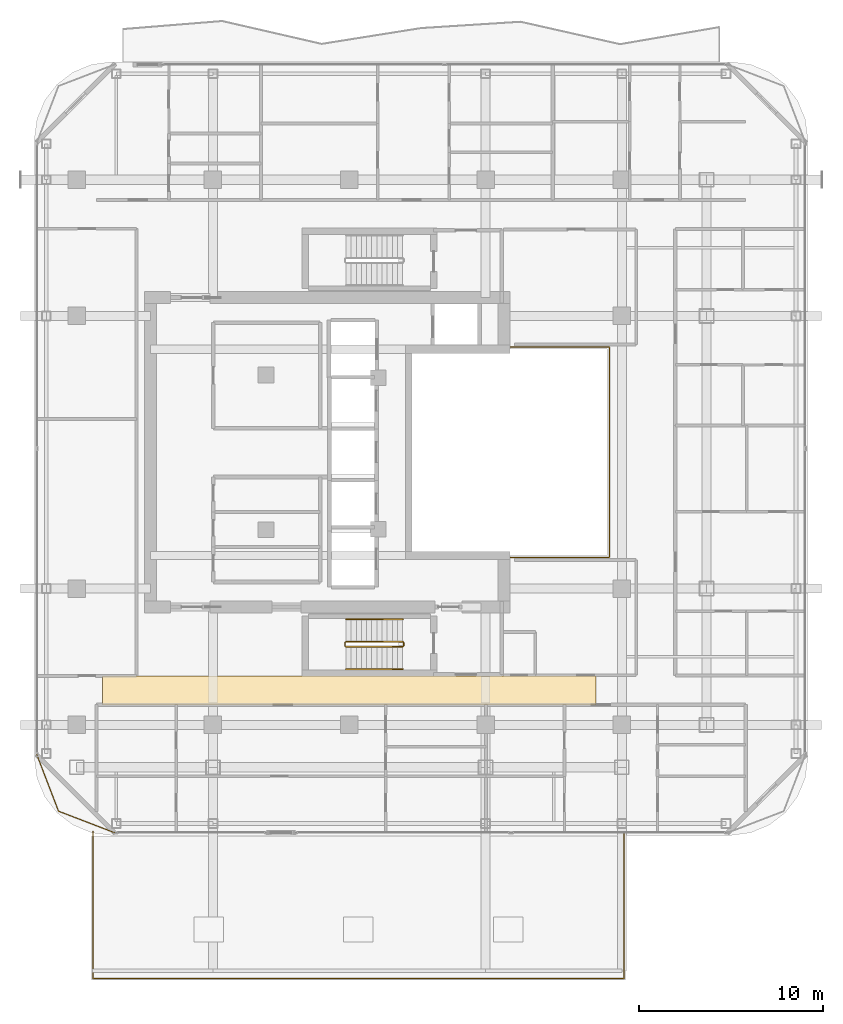
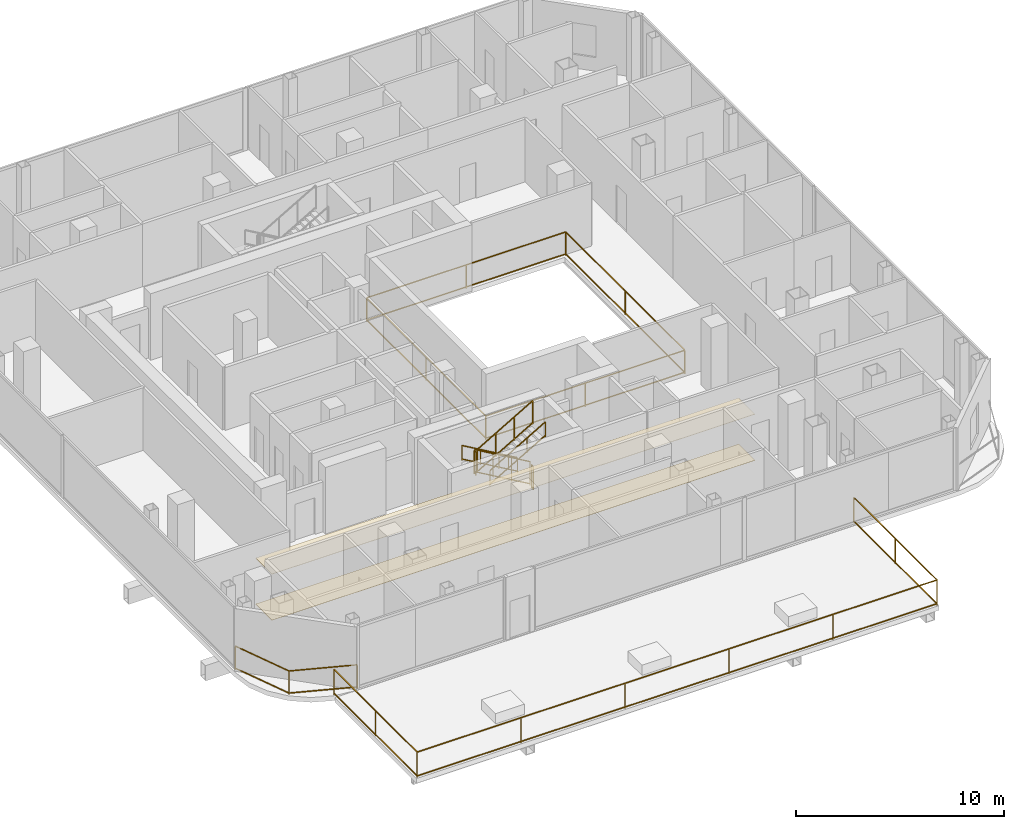
# One storey, part 23 of 25: 9 railings, 2 coverings.
"""IFC4 building model written with IfcOpenShell, lengths in metres."""

import ifcopenshell
import ifcopenshell.guid

model = None  # the IFC model being written
_history = None  # IfcOwnerHistory: only IFC2X3 demands one
_inside = {}  # id of a spatial element -> (the spatial element, [elements in it])
_under = {}  # id of a project, library or spatial element -> (it, [spatial elements below it])
_declared = {}  # id of a project -> (the project, [libraries it declares])
_typed = {}  # id of a type object -> (the type object, [elements of that type])
_made_of = {}  # id of a material, layer set ... -> (it, [elements and type objects made of it])


def new_model(schema):
    """Start an empty IFC model of exactly this schema.

    Asked for "IFC4X3", IfcOpenShell would pick the latest addendum, in which some entities
    have other attributes; the version numbers below select the first issue.
    IFC2X3 requires an IfcOwnerHistory on every rooted entity: one is made here for all.
    """
    global model, _history
    if schema == "IFC4X3":
        model = ifcopenshell.file(schema_version=(4, 3, 0, 0))
    else:
        model = ifcopenshell.file(schema=schema)
    _inside.clear()
    _under.clear()
    _declared.clear()
    _typed.clear()
    _made_of.clear()
    _history = None
    if model.schema == "IFC2X3":
        org = make("IfcOrganization", Name="unknown")
        user = make(
            "IfcPersonAndOrganization",
            ThePerson=make("IfcPerson", FamilyName="unknown"),
            TheOrganization=org,
        )
        app = make(
            "IfcApplication",
            ApplicationDeveloper=org,
            Version="unknown",
            ApplicationFullName="unknown",
            ApplicationIdentifier="unknown",
        )
        _history = make(
            "IfcOwnerHistory",
            OwningUser=user,
            OwningApplication=app,
            ChangeAction="ADDED",
            CreationDate=0,
        )
    return model


def make(cls, **values):
    """One entity of the class cls with the attributes given. An attribute that is None is left unset."""
    return model.create_entity(
        cls, **{name: value for name, value in values.items() if value is not None}
    )


def rooted(cls, **values):
    """An entity with a GlobalId (a new one), such as an element, a storey or a relation."""
    return make(cls, GlobalId=ifcopenshell.guid.new(), OwnerHistory=_history, **values)


def si_unit(unit_type, name, prefix=None):
    """IfcSIUnit, for example si_unit("LENGTHUNIT", "METRE", prefix="MILLI")."""
    return make("IfcSIUnit", UnitType=unit_type, Prefix=prefix, Name=name)


def assignment(units):
    """IfcUnitAssignment: the units of a project."""
    return None if units is None else make("IfcUnitAssignment", Units=units)


def point(xyz):
    """IfcCartesianPoint."""
    return None if xyz is None else make("IfcCartesianPoint", Coordinates=xyz)


def direction(xyz):
    """IfcDirection."""
    return None if xyz is None else make("IfcDirection", DirectionRatios=xyz)


def frame(location, z_axis=None, x_axis=None):
    """IfcAxis2Placement3D, a coordinate frame: its origin and axes. An axis left out is left unset."""
    return make(
        "IfcAxis2Placement3D",
        Location=point(location),
        Axis=direction(z_axis),
        RefDirection=direction(x_axis),
    )


def frame_2d(location, x_axis=None):
    """IfcAxis2Placement2D, a coordinate frame in the plane: its origin and x axis."""
    return make(
        "IfcAxis2Placement2D", Location=point(location), RefDirection=direction(x_axis)
    )


def origin():
    """The frame at (0, 0, 0) with its axes left unset."""
    return frame((0.0, 0.0, 0.0))


def origin_2d():
    """The frame at (0, 0) in the plane with its x axis left unset."""
    return frame_2d((0.0, 0.0))


def place(relative_to, where):
    """IfcLocalPlacement: puts the frame where relative to a parent placement (None: the world)."""
    return make(
        "IfcLocalPlacement", PlacementRelTo=relative_to, RelativePlacement=where
    )


def context(
    kind, dimensions, precision=None, world=None, true_north=None, identifier=None
):
    """IfcGeometricRepresentationContext, for example the 3D "Model" context."""
    return make(
        "IfcGeometricRepresentationContext",
        ContextIdentifier=identifier,
        ContextType=kind,
        CoordinateSpaceDimension=dimensions,
        Precision=precision,
        WorldCoordinateSystem=world,
        TrueNorth=true_north,
    )


def subcontext(parent, identifier, kind, view, scale=None):
    """IfcGeometricRepresentationSubContext, for example "Body" below "Model"."""
    return make(
        "IfcGeometricRepresentationSubContext",
        ContextIdentifier=identifier,
        ContextType=kind,
        ParentContext=parent,
        TargetScale=scale,
        TargetView=view,
    )


def project(units=None, contexts=None):
    """IfcProject with its units and contexts."""
    return rooted(
        "IfcProject",
        Name="project",
        RepresentationContexts=contexts,
        UnitsInContext=assignment(units),
    )


def spatial(cls, under=None, at=None, **own):
    """A site, building, storey or space (cls), placed at a placement, below another one or the project."""
    s = rooted(cls, ObjectPlacement=at, **own)
    if under is not None:
        _under.setdefault(under.id(), (under, []))[1].append(s)
    return s


def polyline(points):
    """IfcPolyline through the points."""
    return make("IfcPolyline", Points=[point(p) for p in points])


def profile(cls, at=None, kind="AREA", **sizes):
    """A parametric profile (cls). Its sizes go by their IFC names, for example OverallWidth=200.0."""
    return make(cls, ProfileType=kind, Position=at, **sizes)


def rectangle(**sizes):
    """IfcRectangleProfileDef."""
    return profile("IfcRectangleProfileDef", **sizes)


def outline(outer, holes=None, kind="AREA"):
    """IfcArbitraryClosedProfileDef: a profile drawn as a closed curve; with holes, ...WithVoids."""
    if holes is None:
        return make("IfcArbitraryClosedProfileDef", ProfileType=kind, OuterCurve=outer)
    return make(
        "IfcArbitraryProfileDefWithVoids",
        ProfileType=kind,
        OuterCurve=outer,
        InnerCurves=holes,
    )


def extrude(swept, where, along, depth):
    """IfcExtrudedAreaSolid: the profile swept, set in the frame where, extruded along a direction by depth."""
    return make(
        "IfcExtrudedAreaSolid",
        SweptArea=swept,
        Position=where,
        ExtrudedDirection=direction(along),
        Depth=depth,
    )


def shape(context_of_items, identifier, shape_type, items):
    """IfcShapeRepresentation: the items that make up one representation, for example the "Body"."""
    return make(
        "IfcShapeRepresentation",
        ContextOfItems=context_of_items,
        RepresentationIdentifier=identifier,
        RepresentationType=shape_type,
        Items=items,
    )


def material(Name=None, Category=None):
    """IfcMaterial."""
    return make("IfcMaterial", Name=Name, Category=Category)


def layer(
    of_material, thickness, ventilated=None, Name=None, Category=None, Priority=None
):
    """IfcMaterialLayer: one layer of a wall or slab, of a material (None: an air gap)."""
    return make(
        "IfcMaterialLayer",
        Material=of_material,
        LayerThickness=thickness,
        IsVentilated=ventilated,
        Name=Name,
        Category=Category,
        Priority=Priority,
    )


def layer_set(layers, Name=None):
    """IfcMaterialLayerSet."""
    return make("IfcMaterialLayerSet", MaterialLayers=layers, LayerSetName=Name)


def made_of(thing, what):
    """Note that an element or type object is made of a material, layer set ...; save() writes the relation."""
    if what is not None:
        _made_of.setdefault(what.id(), (what, []))[1].append(thing)
    return thing


def type_object(cls, material=None, **own):
    """A type object (cls), such as IfcWallType, which elements share."""
    return made_of(rooted(cls, **own), material)


def element(
    cls,
    number,
    at=None,
    inside=None,
    cuts=None,
    type_object=None,
    material=None,
    context=None,
    identifier="Body",
    shape_type=None,
    held_by="IfcProductDefinitionShape",
    body=None,
    shapes=None,
    **own,
):
    """One element of the class cls, such as IfcWall. Its Tag is "e" and its number.

    at: its placement. inside: the storey or other place that contains it. cuts: it is an
    opening in that element (IfcRelVoidsElement). A single representation is given by context,
    identifier, shape_type and body (its items); several are given by shapes. held_by: the class
    of the entity that holds the representations. save() writes the other relations.
    """
    e = rooted(cls, Tag="e%d" % number, ObjectPlacement=at, **own)
    if body is not None:
        shapes = [shape(context, identifier, shape_type, body)]
    if shapes is not None:
        e.Representation = make(held_by, Representations=shapes)
    if inside is not None:
        _inside.setdefault(inside.id(), (inside, []))[1].append(e)
    if cuts is not None:
        rooted(
            "IfcRelVoidsElement", RelatingBuildingElement=cuts, RelatedOpeningElement=e
        )
    if type_object is not None:
        _typed.setdefault(type_object.id(), (type_object, []))[1].append(e)
    return made_of(e, material)


def aggregate(whole, parts):
    """IfcRelAggregates: a whole, such as a stair, and the parts it consists of."""
    return rooted("IfcRelAggregates", RelatingObject=whole, RelatedObjects=parts)


def save(model, path):
    """Write the relations noted so far, then the file.

    IfcRelAggregates (storeys below a building ...), IfcRelContainedInSpatialStructure (elements
    in a storey), IfcRelDefinesByType, IfcRelAssociatesMaterial and IfcRelDeclares: one each for
    every whole, place, type object, material and project.
    """
    for whole, parts in _under.values():
        aggregate(whole, parts)
    for where, things in _inside.values():
        rooted(
            "IfcRelContainedInSpatialStructure",
            RelatedElements=things,
            RelatingStructure=where,
        )
    for kind, things in _typed.values():
        rooted("IfcRelDefinesByType", RelatedObjects=things, RelatingType=kind)
    for what, things in _made_of.values():
        rooted("IfcRelAssociatesMaterial", RelatedObjects=things, RelatingMaterial=what)
    for by, libraries in _declared.values():
        rooted("IfcRelDeclares", RelatingContext=by, RelatedDefinitions=libraries)
    model.write(path)


model = new_model("IFC4")

# Units and contexts
model_context = context("Model", 3, precision=1e-05, world=origin(), true_north=direction((0.0, 1.0)))
body_context = subcontext(model_context, "Body", "Model", "MODEL_VIEW")
ifc_project = project(units=[si_unit("LENGTHUNIT", "METRE"), si_unit("AREAUNIT", "SQUARE_METRE"), si_unit("VOLUMEUNIT", "CUBIC_METRE"), si_unit("PLANEANGLEUNIT", "RADIAN"), si_unit("MASSUNIT", "GRAM", prefix="KILO")], contexts=[model_context])

# Site, building, storey
site_placement = place(None, origin())
site = spatial("IfcSite", under=ifc_project, at=site_placement, CompositionType="ELEMENT")
building_placement = place(site_placement, origin())
building = spatial("IfcBuilding", under=site, at=building_placement, Name="Khorvyn Point Tower", CompositionType="ELEMENT")
storey_placement = place(building_placement, frame((0.0, 0.0, 254.699951171875)))
storey = spatial("IfcBuildingStorey", under=building, at=storey_placement, Name="L62", CompositionType="ELEMENT", Elevation=254.699951171875)

# Railings
ifc_material_1 = material(Name="Stainless steel 1.4401 and laminated glass", Category="steel")
railing_type_1 = type_object("IfcRailingType", Name="Crystal Atrium Smoke-Rated Perimeter Guardrail 1400", PredefinedType="GUARDRAIL", material=ifc_material_1)
railing_1_placement = place(storey_placement, frame((3.080078125, -5.719970703125, 0.0)))
element("IfcRailing", 1, at=railing_1_placement, inside=storey, type_object=railing_type_1, Name="L62 Crystal Atrium Perimeter Guardrail", PredefinedType="GUARDRAIL", context=body_context, shape_type="SweptSolid", body=[
    extrude(rectangle(XDim=0.048095703125, YDim=0.048095703125, at=origin_2d()), frame((0.0, 0.0, 1.3759765625), z_axis=(1.0, 0.0, 0.0), x_axis=(0.0, 1.0, 0.0)), (0.0, 0.0, 1.0), 11.0400390625),
    extrude(rectangle(XDim=0.048095703125, YDim=0.048095703125, at=origin_2d()), frame((0.0, 0.0, 0.080078125), z_axis=(1.0, 0.0, 0.0), x_axis=(0.0, 1.0, 0.0)), (0.0, 0.0, 1.0), 11.0400390625),
    extrude(rectangle(XDim=0.048095703125, YDim=0.048095703125, at=origin_2d()), frame((11.0400390625, 0.0, 1.3759765625), z_axis=(0.0, 1.0, 0.0), x_axis=(-1.0, 0.0, 0.0)), (0.0, 0.0, 1.0), 11.43994140625),
    extrude(rectangle(XDim=0.048095703125, YDim=0.048095703125, at=origin_2d()), frame((11.0400390625, 0.0, 0.080078125), z_axis=(0.0, 1.0, 0.0), x_axis=(-1.0, 0.0, 0.0)), (0.0, 0.0, 1.0), 11.43994140625),
    extrude(rectangle(XDim=0.048095703125, YDim=0.048095703125, at=origin_2d()), frame((11.0400390625, 11.43994140625, 1.3759765625), z_axis=(-1.0, 0.0, 0.0), x_axis=(0.0, -1.0, 0.0)), (0.0, 0.0, 1.0), 11.0400390625),
    extrude(rectangle(XDim=0.048095703125, YDim=0.048095703125, at=origin_2d()), frame((11.0400390625, 11.43994140625, 0.080078125), z_axis=(-1.0, 0.0, 0.0), x_axis=(0.0, -1.0, 0.0)), (0.0, 0.0, 1.0), 11.0400390625),
    extrude(rectangle(XDim=0.048095703125, YDim=0.048095703125, at=origin_2d()), frame((0.0, 11.43994140625, 1.3759765625), z_axis=(0.0, -1.0, 0.0), x_axis=(1.0, 0.0, 0.0)), (0.0, 0.0, 1.0), 11.409912109375),
    extrude(rectangle(XDim=0.048095703125, YDim=0.048095703125, at=origin_2d()), frame((0.0, 11.43994140625, 0.080078125), z_axis=(0.0, -1.0, 0.0), x_axis=(1.0, 0.0, 0.0)), (0.0, 0.0, 1.0), 11.409912109375),
    extrude(rectangle(XDim=0.0419921875, YDim=0.0419921875, at=origin_2d()), origin(), (0.0, 0.0, 1.0), 1.351806640625),
    extrude(rectangle(XDim=0.0419921875, YDim=0.0419921875, at=origin_2d()), frame((5.52001953125, 0.0, 0.0)), (0.0, 0.0, 1.0), 1.351806640625),
    extrude(rectangle(XDim=0.0419921875, YDim=0.0419921875, at=origin_2d()), frame((11.0400390625, 0.0, 0.0)), (0.0, 0.0, 1.0), 1.351806640625),
    extrude(rectangle(XDim=0.0419921875, YDim=0.0419921875, at=origin_2d()), frame((11.0400390625, 5.719970703125, 0.0)), (0.0, 0.0, 1.0), 1.351806640625),
    extrude(rectangle(XDim=0.0419921875, YDim=0.0419921875, at=origin_2d()), frame((11.0400390625, 11.43994140625, 0.0)), (0.0, 0.0, 1.0), 1.351806640625),
    extrude(rectangle(XDim=0.0419921875, YDim=0.0419921875, at=origin_2d()), frame((5.52001953125, 11.43994140625, 0.0)), (0.0, 0.0, 1.0), 1.351806640625),
    extrude(rectangle(XDim=0.0419921875, YDim=0.0419921875, at=origin_2d()), frame((0.0, 11.43994140625, 0.0)), (0.0, 0.0, 1.0), 1.351806640625),
    extrude(rectangle(XDim=0.0419921875, YDim=0.0419921875, at=origin_2d()), frame((0.0, 5.73486328125, 0.0)), (0.0, 0.0, 1.0), 1.351806640625),
    extrude(rectangle(XDim=0.0419921875, YDim=0.0419921875, at=origin_2d()), frame((0.0, 0.030029296875, 0.0)), (0.0, 0.0, 1.0), 1.351806640625),
])
ifc_material_2 = material(Name="Anodised aluminium 6063-T6 and laminated safety glass", Category="aluminium")
railing_type_2 = type_object("IfcRailingType", Name="Laminated Glass and Aluminium Balcony Guardrail 1400", PredefinedType="BALUSTRADE", material=ifc_material_2)
railing_2_placement = place(storey_placement, frame((-16.974365234375, -16.386474609375, 0.0)))
element("IfcRailing", 2, at=railing_2_placement, inside=storey, type_object=railing_type_2, Name="L62 Rounded Corner Edge Guardrail SW", PredefinedType="BALUSTRADE", context=body_context, shape_type="SweptSolid", body=[
    extrude(rectangle(XDim=0.048095703125, YDim=0.048095703125, at=origin_2d()), frame((0.0, 0.0, 1.3759765625), z_axis=(0.358367799998, -0.933580483903, 0.0), x_axis=(0.933580483903, 0.358367799998, 0.0)), (0.0, 0.0, 1.0), 3.319091796875),
    extrude(rectangle(XDim=0.048095703125, YDim=0.048095703125, at=origin_2d()), frame((0.0, 0.0, 0.080078125), z_axis=(0.358367799998, -0.933580483903, 0.0), x_axis=(0.933580483903, 0.358367799998, 0.0)), (0.0, 0.0, 1.0), 3.319091796875),
    extrude(rectangle(XDim=0.048095703125, YDim=0.048095703125, at=origin_2d()), frame((1.189453125, -3.0986328125, 1.3759765625), z_axis=(0.933595647299, -0.358328295484, 0.0), x_axis=(0.358328295484, 0.933595647299, 0.0)), (0.0, 0.0, 1.0), 3.31884765625),
    extrude(rectangle(XDim=0.048095703125, YDim=0.048095703125, at=origin_2d()), frame((1.189453125, -3.0986328125, 0.080078125), z_axis=(0.933595647299, -0.358328295484, 0.0), x_axis=(0.358328295484, 0.933595647299, 0.0)), (0.0, 0.0, 1.0), 3.31884765625),
    extrude(rectangle(XDim=0.0419921875, YDim=0.0419921875, at=origin_2d()), origin(), (0.0, 0.0, 1.0), 1.351806640625),
    extrude(rectangle(XDim=0.0419921875, YDim=0.0419921875, at=origin_2d()), frame((1.189453125, -3.0986328125, 0.0)), (0.0, 0.0, 1.0), 1.351806640625),
    extrude(rectangle(XDim=0.0419921875, YDim=0.0419921875, at=origin_2d()), frame((4.287841796875, -4.287841796875, 0.0)), (0.0, 0.0, 1.0), 1.351806640625),
])

# Coverings
ifc_material_3 = material(Name="Mineral-fibre acoustic ceiling board", Category="gypsum")
ifc_layer_1 = layer(ifc_material_3, 0.02001953125)
ifc_layer_set_1 = layer_set([ifc_layer_1], Name="Perforated Mineral-Fibre Acoustic Suspended Ceiling 20")
covering_type_1 = type_object("IfcCoveringType", Name="Perforated Mineral-Fibre Acoustic Suspended Ceiling 20", PredefinedType="CEILING", material=ifc_layer_set_1)
covering_1_placement = place(storey_placement, frame((0.0, 0.0, 2.699951171875)))
element("IfcCovering", 3, at=covering_1_placement, inside=storey, type_object=covering_type_1, Name="L62 South Corridor Acoustic Ceiling", PredefinedType="CEILING", context=body_context, shape_type="SweptSolid", body=[
    extrude(outline(polyline([(-13.39990234375, -13.7099609375), (13.39990234375, -13.7099609375), (13.39990234375, -12.139892578125), (-13.39990234375, -12.139892578125), (-13.39990234375, -13.7099609375)])), origin(), (0.0, 0.0, 1.0), 0.02001953125),
])
ifc_material_4 = material(Name="Vitrified porcelain terrazzo tile", Category="ceramic")
ifc_layer_2 = layer(ifc_material_4, 0.01806640625)
ifc_layer_set_2 = layer_set([ifc_layer_2], Name="Porcelain Terrazzo Corridor Floor Finish Tile 18")
covering_type_2 = type_object("IfcCoveringType", Name="Porcelain Terrazzo Corridor Floor Finish Tile 18", PredefinedType="FLOORING", material=ifc_layer_set_2)
covering_2_placement = place(storey_placement, origin())
element("IfcCovering", 4, at=covering_2_placement, inside=storey, type_object=covering_type_2, Name="L62 South Corridor Terrazzo Flooring", PredefinedType="FLOORING", context=body_context, shape_type="SweptSolid", body=[
    extrude(outline(polyline([(-13.39990234375, -13.7099609375), (13.39990234375, -13.7099609375), (13.39990234375, -12.139892578125), (-13.39990234375, -12.139892578125), (-13.39990234375, -13.7099609375)])), origin(), (0.0, 0.0, 1.0), 0.01806640625),
])

# Railings
ifc_material_5 = material(Name="Stainless steel 1.4401", Category="steel")
railing_type_3 = type_object("IfcRailingType", Name="School Terrace Anti-Climb Safety Guardrail 1500", PredefinedType="GUARDRAIL", material=ifc_material_5)
railing_3_placement = place(storey_placement, frame((-13.919921875, -20.570068359375, 0.0)))
element("IfcRailing", 5, at=railing_3_placement, inside=storey, type_object=railing_type_3, Name="L62 Setback Terrace Guardrail", PredefinedType="GUARDRAIL", context=body_context, shape_type="SweptSolid", body=[
    extrude(rectangle(XDim=0.048095703125, YDim=0.048095703125, at=origin_2d()), frame((0.0, 0.0, 1.47607421875), z_axis=(0.0, -1.0, 0.0), x_axis=(1.0, 0.0, 0.0)), (0.0, 0.0, 1.0), 8.0),
    extrude(rectangle(XDim=0.048095703125, YDim=0.048095703125, at=origin_2d()), frame((0.0, 0.0, 0.080078125), z_axis=(0.0, -1.0, 0.0), x_axis=(1.0, 0.0, 0.0)), (0.0, 0.0, 1.0), 8.0),
    extrude(rectangle(XDim=0.048095703125, YDim=0.048095703125, at=origin_2d()), frame((0.0, -8.0, 1.47607421875), z_axis=(1.0, 0.0, 0.0), x_axis=(0.0, 1.0, 0.0)), (0.0, 0.0, 1.0), 28.83984375),
    extrude(rectangle(XDim=0.048095703125, YDim=0.048095703125, at=origin_2d()), frame((0.0, -8.0, 0.080078125), z_axis=(1.0, 0.0, 0.0), x_axis=(0.0, 1.0, 0.0)), (0.0, 0.0, 1.0), 28.83984375),
    extrude(rectangle(XDim=0.048095703125, YDim=0.048095703125, at=origin_2d()), frame((28.83984375, -8.0, 1.47607421875), z_axis=(0.0, 1.0, 0.0), x_axis=(-1.0, 0.0, 0.0)), (0.0, 0.0, 1.0), 8.0),
    extrude(rectangle(XDim=0.048095703125, YDim=0.048095703125, at=origin_2d()), frame((28.83984375, -8.0, 0.080078125), z_axis=(0.0, 1.0, 0.0), x_axis=(-1.0, 0.0, 0.0)), (0.0, 0.0, 1.0), 8.0),
    extrude(rectangle(XDim=0.0419921875, YDim=0.0419921875, at=origin_2d()), origin(), (0.0, 0.0, 1.0), 1.451904296875),
    extrude(rectangle(XDim=0.0419921875, YDim=0.0419921875, at=origin_2d()), frame((0.0, -4.0, 0.0)), (0.0, 0.0, 1.0), 1.451904296875),
    extrude(rectangle(XDim=0.0419921875, YDim=0.0419921875, at=origin_2d()), frame((0.0, -8.0, 0.0)), (0.0, 0.0, 1.0), 1.451904296875),
    extrude(rectangle(XDim=0.0419921875, YDim=0.0419921875, at=origin_2d()), frame((5.76806640625, -8.0, 0.0)), (0.0, 0.0, 1.0), 1.451904296875),
    extrude(rectangle(XDim=0.0419921875, YDim=0.0419921875, at=origin_2d()), frame((11.535888671875, -8.0, 0.0)), (0.0, 0.0, 1.0), 1.451904296875),
    extrude(rectangle(XDim=0.0419921875, YDim=0.0419921875, at=origin_2d()), frame((17.303955078125, -8.0, 0.0)), (0.0, 0.0, 1.0), 1.451904296875),
    extrude(rectangle(XDim=0.0419921875, YDim=0.0419921875, at=origin_2d()), frame((23.07177734375, -8.0, 0.0)), (0.0, 0.0, 1.0), 1.451904296875),
    extrude(rectangle(XDim=0.0419921875, YDim=0.0419921875, at=origin_2d()), frame((28.83984375, -8.0, 0.0)), (0.0, 0.0, 1.0), 1.451904296875),
    extrude(rectangle(XDim=0.0419921875, YDim=0.0419921875, at=origin_2d()), frame((28.83984375, -4.0, 0.0)), (0.0, 0.0, 1.0), 1.451904296875),
    extrude(rectangle(XDim=0.0419921875, YDim=0.0419921875, at=origin_2d()), frame((28.83984375, 0.0, 0.0)), (0.0, 0.0, 1.0), 1.451904296875),
])
ifc_material_6 = material(Name="Stainless steel 1.4301", Category="steel")
railing_type_4 = type_object("IfcRailingType", Name="Stainless Steel 304 Stair Pitch Handrail 900", PredefinedType="HANDRAIL", material=ifc_material_6)
railing_4_placement = place(storey_placement, frame((2.89990234375, -9.070068359375, 0.16259765625)))
element("IfcRailing", 6, at=railing_4_placement, inside=storey, type_object=railing_type_4, Name="L62 ST-01 stair handrail 1", PredefinedType="HANDRAIL", context=body_context, shape_type="SweptSolid", body=[
    extrude(rectangle(XDim=0.048095703125, YDim=0.048095703125, at=origin_2d()), frame((0.0, 0.0, 0.8759765625), z_axis=(-0.864903211148, 0.0, 0.501938676878), x_axis=(0.0, -1.0, 0.0)), (0.0, 0.0, 1.0), 3.560791015625),
    extrude(rectangle(XDim=0.048095703125, YDim=0.048095703125, at=origin_2d()), frame((0.0, 0.0, 0.080078125), z_axis=(-0.864903211148, 0.0, 0.501938676878), x_axis=(0.0, -1.0, 0.0)), (0.0, 0.0, 1.0), 3.560791015625),
    extrude(rectangle(XDim=0.0419921875, YDim=0.0419921875, at=origin_2d()), origin(), (0.0, 0.0, 1.0), 0.851806640625),
    extrude(rectangle(XDim=0.0419921875, YDim=0.0419921875, at=origin_2d()), frame((-1.026611328125, 0.0, 0.595703125)), (0.0, 0.0, 1.0), 0.851806640625),
    extrude(rectangle(XDim=0.0419921875, YDim=0.0419921875, at=origin_2d()), frame((-2.05322265625, 0.0, 1.191650390625)), (0.0, 0.0, 1.0), 0.851806640625),
    extrude(rectangle(XDim=0.0419921875, YDim=0.0419921875, at=origin_2d()), frame((-3.079833984375, 0.0, 1.787353515625)), (0.0, 0.0, 1.0), 0.851806640625),
])
railing_5_placement = place(storey_placement, frame((-0.179931640625, -11.77001953125, 2.112548828125)))
element("IfcRailing", 7, at=railing_5_placement, inside=storey, type_object=railing_type_4, Name="L62 ST-01 stair handrail 2", PredefinedType="HANDRAIL", context=body_context, shape_type="SweptSolid", body=[
    extrude(rectangle(XDim=0.048095703125, YDim=0.048095703125, at=origin_2d()), frame((0.0, 0.0, 0.8759765625), z_axis=(0.864873446163, 0.0, 0.501989962173), x_axis=(0.0, 1.0, 0.0)), (0.0, 0.0, 1.0), 3.56103515625),
    extrude(rectangle(XDim=0.048095703125, YDim=0.048095703125, at=origin_2d()), frame((0.0, 0.0, 0.080078125), z_axis=(0.864873446163, 0.0, 0.501989962173), x_axis=(0.0, 1.0, 0.0)), (0.0, 0.0, 1.0), 3.56103515625),
    extrude(rectangle(XDim=0.0419921875, YDim=0.0419921875, at=origin_2d()), origin(), (0.0, 0.0, 1.0), 0.851806640625),
    extrude(rectangle(XDim=0.0419921875, YDim=0.0419921875, at=origin_2d()), frame((1.026611328125, 0.0, 0.595947265625)), (0.0, 0.0, 1.0), 0.851806640625),
    extrude(rectangle(XDim=0.0419921875, YDim=0.0419921875, at=origin_2d()), frame((2.05322265625, 0.0, 1.191650390625)), (0.0, 0.0, 1.0), 0.851806640625),
    extrude(rectangle(XDim=0.0419921875, YDim=0.0419921875, at=origin_2d()), frame((3.079833984375, 0.0, 1.78759765625)), (0.0, 0.0, 1.0), 0.851806640625),
])
railing_type_5 = type_object("IfcRailingType", Name="Stainless Steel 304 Stair Well Guardrail 1400", PredefinedType="GUARDRAIL", material=ifc_material_6)
railing_6_placement = place(storey_placement, frame((2.89990234375, -10.2900390625, 0.16259765625)))
element("IfcRailing", 8, at=railing_6_placement, inside=storey, type_object=railing_type_5, Name="L62 ST-01 stair guard 1", PredefinedType="GUARDRAIL", context=body_context, shape_type="SweptSolid", body=[
    extrude(rectangle(XDim=0.048095703125, YDim=0.048095703125, at=origin_2d()), frame((0.0, 0.0, 1.3759765625), z_axis=(-0.864903211148, 0.0, 0.501938676878), x_axis=(0.0, -1.0, 0.0)), (0.0, 0.0, 1.0), 3.560791015625),
    extrude(rectangle(XDim=0.048095703125, YDim=0.048095703125, at=origin_2d()), frame((0.0, 0.0, 0.080078125), z_axis=(-0.864903211148, 0.0, 0.501938676878), x_axis=(0.0, -1.0, 0.0)), (0.0, 0.0, 1.0), 3.560791015625),
    extrude(rectangle(XDim=0.0419921875, YDim=0.0419921875, at=origin_2d()), origin(), (0.0, 0.0, 1.0), 1.351806640625),
    extrude(rectangle(XDim=0.0419921875, YDim=0.0419921875, at=origin_2d()), frame((-1.026611328125, 0.0, 0.595703125)), (0.0, 0.0, 1.0), 1.351806640625),
    extrude(rectangle(XDim=0.0419921875, YDim=0.0419921875, at=origin_2d()), frame((-2.05322265625, 0.0, 1.191650390625)), (0.0, 0.0, 1.0), 1.351806640625),
    extrude(rectangle(XDim=0.0419921875, YDim=0.0419921875, at=origin_2d()), frame((-3.079833984375, 0.0, 1.787353515625)), (0.0, 0.0, 1.0), 1.351806640625),
])
railing_7_placement = place(storey_placement, frame((-0.22998046875, -10.340087890625, 1.949951171875)))
element("IfcRailing", 9, at=railing_7_placement, inside=storey, type_object=railing_type_5, Name="L62 ST-01 stair guard 2", PredefinedType="GUARDRAIL", context=body_context, shape_type="SweptSolid", body=[
    extrude(rectangle(XDim=0.048095703125, YDim=0.048095703125, at=origin_2d()), frame((0.0, 0.0, 1.3759765625), z_axis=(0.0, -1.0, 0.0), x_axis=(1.0, 0.0, 0.0)), (0.0, 0.0, 1.0), 0.159912109375),
    extrude(rectangle(XDim=0.048095703125, YDim=0.048095703125, at=origin_2d()), frame((0.0, 0.0, 0.080078125), z_axis=(0.0, -1.0, 0.0), x_axis=(1.0, 0.0, 0.0)), (0.0, 0.0, 1.0), 0.159912109375),
    extrude(rectangle(XDim=0.0419921875, YDim=0.0419921875, at=origin_2d()), origin(), (0.0, 0.0, 1.0), 1.351806640625),
    extrude(rectangle(XDim=0.0419921875, YDim=0.0419921875, at=origin_2d()), frame((0.0, -0.159912109375, 0.0)), (0.0, 0.0, 1.0), 1.351806640625),
])
railing_8_placement = place(storey_placement, frame((-0.179931640625, -10.550048828125, 2.112548828125)))
element("IfcRailing", 10, at=railing_8_placement, inside=storey, type_object=railing_type_5, Name="L62 ST-01 stair guard 3", PredefinedType="GUARDRAIL", context=body_context, shape_type="SweptSolid", body=[
    extrude(rectangle(XDim=0.048095703125, YDim=0.048095703125, at=origin_2d()), frame((0.0, 0.0, 1.3759765625), z_axis=(0.864873446163, 0.0, 0.501989962173), x_axis=(0.0, 1.0, 0.0)), (0.0, 0.0, 1.0), 3.56103515625),
    extrude(rectangle(XDim=0.048095703125, YDim=0.048095703125, at=origin_2d()), frame((0.0, 0.0, 0.080078125), z_axis=(0.864873446163, 0.0, 0.501989962173), x_axis=(0.0, 1.0, 0.0)), (0.0, 0.0, 1.0), 3.56103515625),
    extrude(rectangle(XDim=0.0419921875, YDim=0.0419921875, at=origin_2d()), origin(), (0.0, 0.0, 1.0), 1.351806640625),
    extrude(rectangle(XDim=0.0419921875, YDim=0.0419921875, at=origin_2d()), frame((1.026611328125, 0.0, 0.595947265625)), (0.0, 0.0, 1.0), 1.351806640625),
    extrude(rectangle(XDim=0.0419921875, YDim=0.0419921875, at=origin_2d()), frame((2.05322265625, 0.0, 1.191650390625)), (0.0, 0.0, 1.0), 1.351806640625),
    extrude(rectangle(XDim=0.0419921875, YDim=0.0419921875, at=origin_2d()), frame((3.079833984375, 0.0, 1.78759765625)), (0.0, 0.0, 1.0), 1.351806640625),
])
railing_9_placement = place(storey_placement, frame((2.949951171875, -10.340087890625, 0.0)))
element("IfcRailing", 11, at=railing_9_placement, inside=storey, type_object=railing_type_5, Name="L62 ST-01 stair guard 4", PredefinedType="GUARDRAIL", context=body_context, shape_type="SweptSolid", body=[
    extrude(rectangle(XDim=0.048095703125, YDim=0.048095703125, at=origin_2d()), frame((0.0, 0.0, 1.3759765625), z_axis=(0.0, -1.0, 0.0), x_axis=(1.0, 0.0, 0.0)), (0.0, 0.0, 1.0), 0.159912109375),
    extrude(rectangle(XDim=0.048095703125, YDim=0.048095703125, at=origin_2d()), frame((0.0, 0.0, 0.080078125), z_axis=(0.0, -1.0, 0.0), x_axis=(1.0, 0.0, 0.0)), (0.0, 0.0, 1.0), 0.159912109375),
    extrude(rectangle(XDim=0.0419921875, YDim=0.0419921875, at=origin_2d()), origin(), (0.0, 0.0, 1.0), 1.351806640625),
    extrude(rectangle(XDim=0.0419921875, YDim=0.0419921875, at=origin_2d()), frame((0.0, -0.159912109375, 0.0)), (0.0, 0.0, 1.0), 1.351806640625),
])

save(model, "model.ifc")
